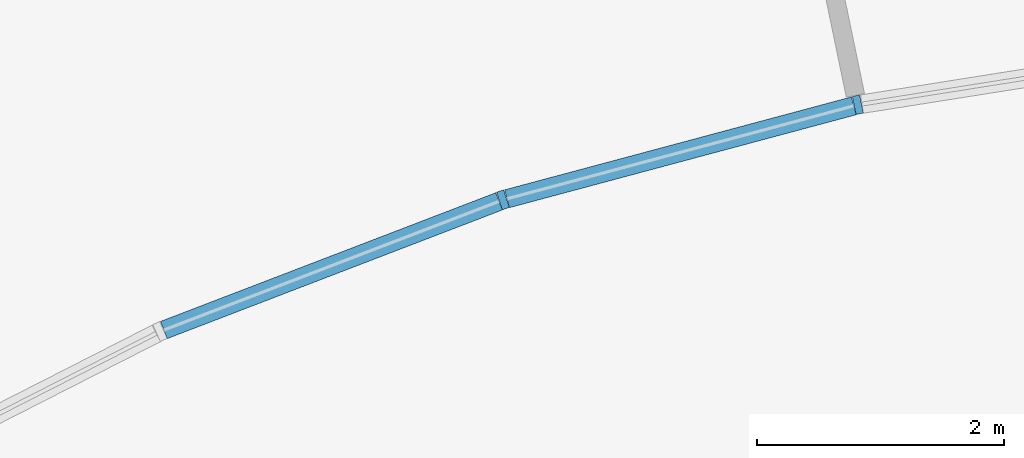
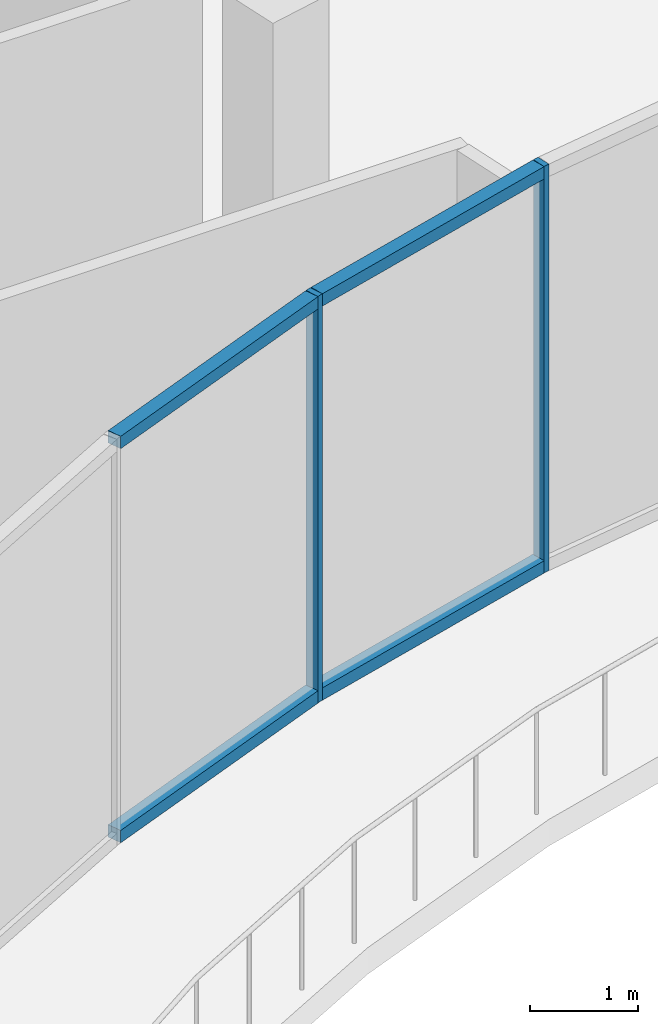
# One storey, part 5 of 39: 6 members, 1 element without a shape of its own.
"""IFC4 building model written with IfcOpenShell, lengths in metres."""

from ifc_helpers import new_model, si_unit, direction, frame, origin, origin_2d, place, context, subcontext, project, spatial, rectangle, extrude, material, layer, layer_set, material_profile, profile_set, type_object, element, aggregate, save


model = new_model("IFC4")

# Units and contexts
model_context = context("Model", 3, precision=1e-05, world=origin(), true_north=direction((0.0, 1.0)))
body_context = subcontext(model_context, "Body", "Model", "MODEL_VIEW")
ifc_project = project(units=[si_unit("LENGTHUNIT", "METRE"), si_unit("AREAUNIT", "SQUARE_METRE"), si_unit("VOLUMEUNIT", "CUBIC_METRE"), si_unit("PLANEANGLEUNIT", "RADIAN"), si_unit("MASSUNIT", "GRAM", prefix="KILO")], contexts=[model_context])

# Site, building, storey
site_placement = place(None, origin())
site = spatial("IfcSite", under=ifc_project, at=site_placement, CompositionType="ELEMENT")
building_placement = place(site_placement, origin())
building = spatial("IfcBuilding", under=site, at=building_placement, Name="Stone Belt Terrace Tower", CompositionType="ELEMENT")
storey_placement = place(building_placement, frame((0.0, 0.0, 20.800048828125)))
storey = spatial("IfcBuildingStorey", under=building, at=storey_placement, Name="L04", CompositionType="ELEMENT", Elevation=20.800048828125)

# Curtain wall, members
ifc_material = material(Name="Aluminium 6063-T6 anodised frame", Category="aluminium")
ifc_layer = layer(ifc_material, 0.14990234375)
ifc_layer_set = layer_set([ifc_layer], Name="CW-D podium shopfront")
curtain_wall_type = type_object("IfcCurtainWallType", Name="CW-D podium shopfront", PredefinedType="NOTDEFINED", material=ifc_layer_set)
curtain_wall_placement = place(storey_placement, origin())
curtain_wall = element("IfcCurtainWall", 1, at=curtain_wall_placement, inside=storey, type_object=curtain_wall_type, Name="CW-D concave face L04", PredefinedType="NOTDEFINED")
ifc_material_profile_1 = material_profile(ifc_material, rectangle(XDim=0.14990234375, YDim=0.06005859375, at=origin_2d()), Name="Aluminium 6063-T6 60x150")
ifc_profile_set_1 = profile_set([ifc_material_profile_1], Name="Aluminium 6063-T6 anodised frame")
member_type_1 = type_object("IfcMemberType", Name="CW-D mullion 60 x 150", PredefinedType="MULLION", material=ifc_profile_set_1)
member_1_placement = place(storey_placement, frame((-8.78369140625, 27.03369140625, 0.0), z_axis=(0.0, 0.0, 1.0), x_axis=(-0.309016994375, 0.951056516295, 0.0)))
member_1 = element("IfcMember", 2, at=member_1_placement, type_object=member_type_1, Name="CW-D mullion 9", PredefinedType="MULLION", context=body_context, shape_type="SweptSolid", body=[
    extrude(rectangle(XDim=0.14990234375, YDim=0.06005859375, at=origin_2d()), origin(), (0.0, 0.0, 1.0), 4.599853515625),
])
member_2_placement = place(storey_placement, frame((-5.909912109375, 27.8037109375, 0.0), z_axis=(0.0, 0.0, 1.0), x_axis=(-0.207911690818, 0.978147600734, 0.0)))
member_2 = element("IfcMember", 3, at=member_2_placement, type_object=member_type_1, Name="CW-D mullion 10", PredefinedType="MULLION", context=body_context, shape_type="SweptSolid", body=[
    extrude(rectangle(XDim=0.14990234375, YDim=0.06005859375, at=origin_2d()), origin(), (0.0, 0.0, 1.0), 4.599853515625),
])
ifc_material_profile_2 = material_profile(ifc_material, rectangle(XDim=0.14990234375, YDim=0.139892578125, at=origin_2d()), Name="Aluminium 6063-T6 150x140")
ifc_profile_set_2 = profile_set([ifc_material_profile_2], Name="Aluminium 6063-T6 anodised frame")
member_type_2 = type_object("IfcMemberType", Name="CW-D transom 140 x 150", PredefinedType="USERDEFINED", material=ifc_profile_set_2)
member_3_placement = place(storey_placement, frame((-11.52978515625, 25.9794921875, 0.070068359375), z_axis=(0.93357481731, 0.358382561637, 0.0), x_axis=(-0.358382561637, 0.93357481731, 0.0)))
member_3 = element("IfcMember", 4, at=member_3_placement, type_object=member_type_2, Name="CW-D transom 8.1", ObjectType="TRANSOM", PredefinedType="USERDEFINED", context=body_context, shape_type="SweptSolid", body=[
    extrude(rectangle(XDim=0.14990234375, YDim=0.139892578125, at=origin_2d()), origin(), (0.0, 0.0, 1.0), 2.907470703125),
])
member_4_placement = place(storey_placement, frame((-11.52978515625, 25.9794921875, 4.530029296875), z_axis=(0.93357481731, 0.358382561637, 0.0), x_axis=(-0.358382561637, 0.93357481731, 0.0)))
member_4 = element("IfcMember", 5, at=member_4_placement, type_object=member_type_2, Name="CW-D transom 8.2", ObjectType="TRANSOM", PredefinedType="USERDEFINED", context=body_context, shape_type="SweptSolid", body=[
    extrude(rectangle(XDim=0.14990234375, YDim=0.139892578125, at=origin_2d()), origin(), (0.0, 0.0, 1.0), 2.907470703125),
])
member_5_placement = place(storey_placement, frame((-8.7509765625, 27.04248046875, 0.070068359375), z_axis=(0.965930435373, 0.258801843156, 0.0), x_axis=(-0.258801843156, 0.965930435373, 0.0)))
member_5 = element("IfcMember", 6, at=member_5_placement, type_object=member_type_2, Name="CW-D transom 9.1", ObjectType="TRANSOM", PredefinedType="USERDEFINED", context=body_context, shape_type="SweptSolid", body=[
    extrude(rectangle(XDim=0.14990234375, YDim=0.139892578125, at=origin_2d()), origin(), (0.0, 0.0, 1.0), 2.907470703125),
])
member_6_placement = place(storey_placement, frame((-8.7509765625, 27.04248046875, 4.530029296875), z_axis=(0.965930435373, 0.258801843156, 0.0), x_axis=(-0.258801843156, 0.965930435373, 0.0)))
member_6 = element("IfcMember", 7, at=member_6_placement, type_object=member_type_2, Name="CW-D transom 9.2", ObjectType="TRANSOM", PredefinedType="USERDEFINED", context=body_context, shape_type="SweptSolid", body=[
    extrude(rectangle(XDim=0.14990234375, YDim=0.139892578125, at=origin_2d()), origin(), (0.0, 0.0, 1.0), 2.907470703125),
])
aggregate(curtain_wall, [member_1, member_2, member_3, member_4, member_5, member_6])

save(model, "model.ifc")
